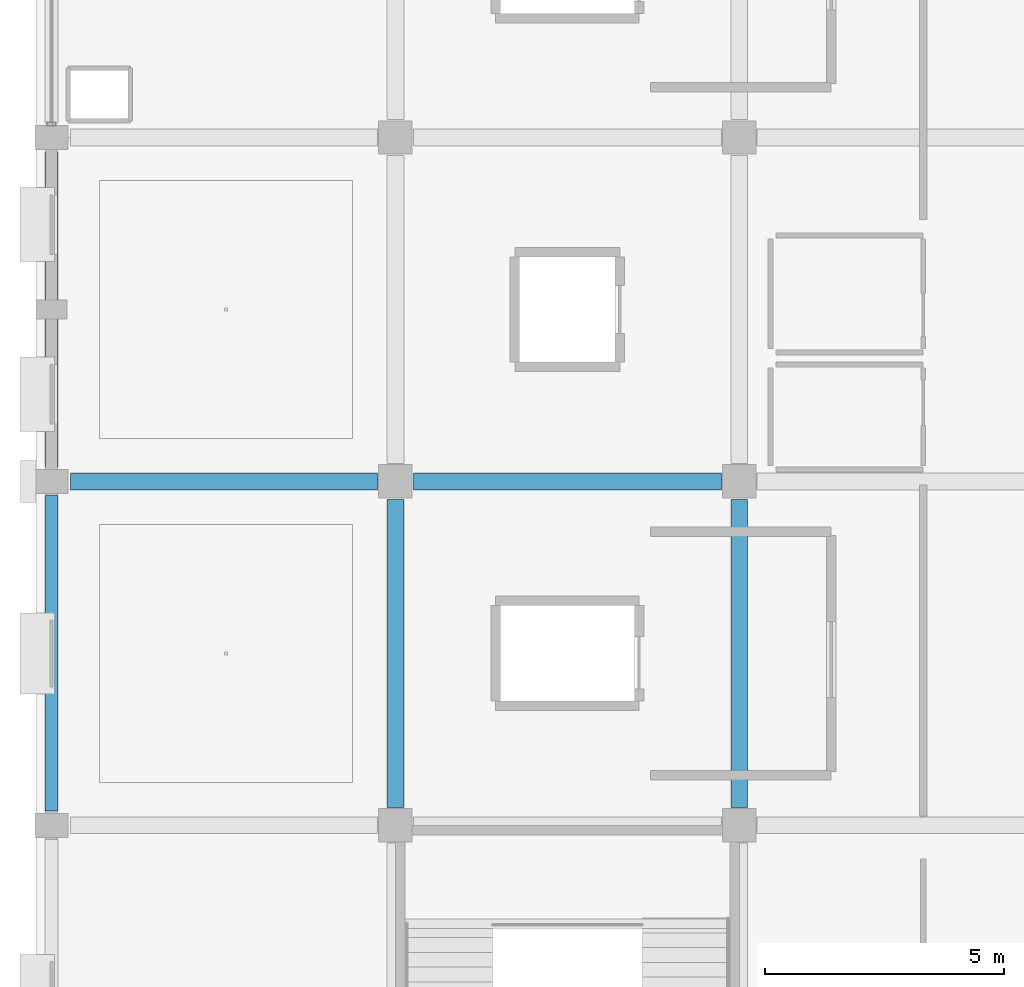
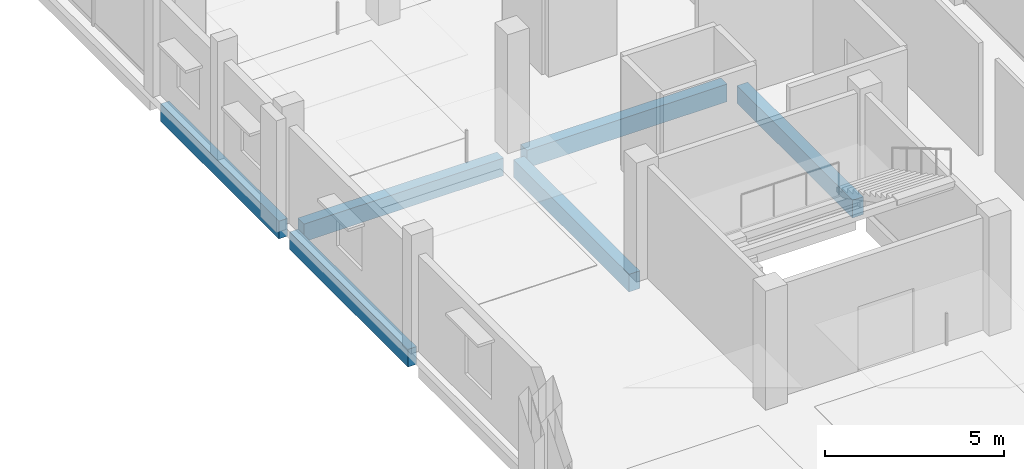
# One storey, part 10 of 77: 6 beams.
"""IFC4 building model written with IfcOpenShell, lengths in metres."""

from ifc_helpers import new_model, si_unit, direction, frame, origin, origin_2d, place, context, subcontext, project, spatial, rectangle, extrude, material, material_profile, profile_set, type_object, element, save


model = new_model("IFC4")

# Units and contexts
model_context = context("Model", 3, precision=1e-05, world=origin(), true_north=direction((0.0, 1.0)))
body_context = subcontext(model_context, "Body", "Model", "MODEL_VIEW")
ifc_project = project(units=[si_unit("LENGTHUNIT", "METRE"), si_unit("AREAUNIT", "SQUARE_METRE"), si_unit("VOLUMEUNIT", "CUBIC_METRE"), si_unit("PLANEANGLEUNIT", "RADIAN"), si_unit("MASSUNIT", "GRAM", prefix="KILO")], contexts=[model_context])

# Site, building, storey
site_placement = place(None, origin())
site = spatial("IfcSite", under=ifc_project, at=site_placement, CompositionType="ELEMENT")
building_placement = place(site_placement, origin())
building = spatial("IfcBuilding", under=site, at=building_placement, Name="Kangsadwip Square Police Headquarters", CompositionType="ELEMENT")
storey_placement = place(building_placement, frame((0.0, 0.0, 17.550048828125)))
storey = spatial("IfcBuildingStorey", under=building, at=storey_placement, Name="L04", CompositionType="ELEMENT", Elevation=17.550048828125)

# Beams
ifc_material_1 = material(Name="Concrete M35 (35 MPa)", Category="concrete")
ifc_material_profile_1 = material_profile(ifc_material_1, rectangle(XDim=0.35009765625, YDim=0.60009765625, at=origin_2d()), Name="RC BM 600X350")
ifc_profile_set_1 = profile_set([ifc_material_profile_1], Name="Concrete M35 (35 MPa)")
beam_type_1 = type_object("IfcBeamType", Name="RcBeam600x350", PredefinedType="BEAM", material=ifc_profile_set_1)
beam_1_placement = place(storey_placement, frame((0.39990234375, 57.60009765625, -0.5400390625), z_axis=(1.0, 0.0, 0.0), x_axis=(0.0, 1.0, 0.0)))
element("IfcBeam", 1, at=beam_1_placement, inside=storey, type_object=beam_type_1, Name="Beam BM-L04-X-00-08", PredefinedType="BEAM", context=body_context, shape_type="SweptSolid", body=[
    extrude(rectangle(XDim=0.35009765625, YDim=0.60009765625, at=origin_2d()), origin(), (0.0, 0.0, 1.0), 6.425048828125),
])
beam_2_placement = place(storey_placement, frame((7.574951171875, 57.60009765625, -0.5400390625), z_axis=(1.0, 0.0, 0.0), x_axis=(0.0, 1.0, 0.0)))
element("IfcBeam", 2, at=beam_2_placement, inside=storey, type_object=beam_type_1, Name="Beam BM-L04-X-01-08", PredefinedType="BEAM", context=body_context, shape_type="SweptSolid", body=[
    extrude(rectangle(XDim=0.35009765625, YDim=0.60009765625, at=origin_2d()), origin(), (0.0, 0.0, 1.0), 6.449951171875),
])
for number, where, z_axis, x_axis, name in (
    (3, (7.199951171875, 50.77490234375, -0.5400390625), (0.0, 1.0, 0.0), (-1.0, 0.0, 0.0), "Beam BM-L04-Y-01-07"),
    (4, (14.39990234375, 50.77490234375, -0.5400390625), (0.0, 1.0, 0.0), (-1.0, 0.0, 0.0), "Beam BM-L04-Y-02-07"),
):
    element("IfcBeam", number, at=place(storey_placement, frame(where, z_axis=z_axis, x_axis=x_axis)), inside=storey, type_object=beam_type_1, Name=name, PredefinedType="BEAM", context=body_context, shape_type="SweptSolid", body=[
        extrude(rectangle(XDim=0.35009765625, YDim=0.60009765625, at=origin_2d()), origin(), (0.0, 0.0, 1.0), 6.4501953125),
    ])
ifc_material_2 = material(Name="Concrete M40 (40 MPa)", Category="concrete")
ifc_material_profile_2 = material_profile(ifc_material_2, rectangle(XDim=0.280029296875, YDim=0.60009765625, at=origin_2d()), Name="RC SPN 600X280")
ifc_profile_set_2 = profile_set([ifc_material_profile_2], Name="Concrete M40 (40 MPa)")
beam_type_2 = type_object("IfcBeamType", Name="RcSpandrel600x280", PredefinedType="SPANDREL", material=ifc_profile_set_2)
for number, where, z_axis, x_axis, name in (
    (5, (0.0, 50.699951171875, -0.5400390625), (0.0, 1.0, 0.0), (-1.0, 0.0, 0.0), "Beam BM-L04-Y-00-07"),
    (6, (0.0, 57.89990234375, -0.5400390625), (0.0, 1.0, 0.0), (-1.0, 0.0, 0.0), "Beam BM-L04-Y-00-08"),
):
    element("IfcBeam", number, at=place(storey_placement, frame(where, z_axis=z_axis, x_axis=x_axis)), inside=storey, type_object=beam_type_2, Name=name, PredefinedType="SPANDREL", context=body_context, shape_type="SweptSolid", body=[
        extrude(rectangle(XDim=0.280029296875, YDim=0.60009765625, at=origin_2d()), origin(), (0.0, 0.0, 1.0), 6.60009765625),
    ])

save(model, "model.ifc")
